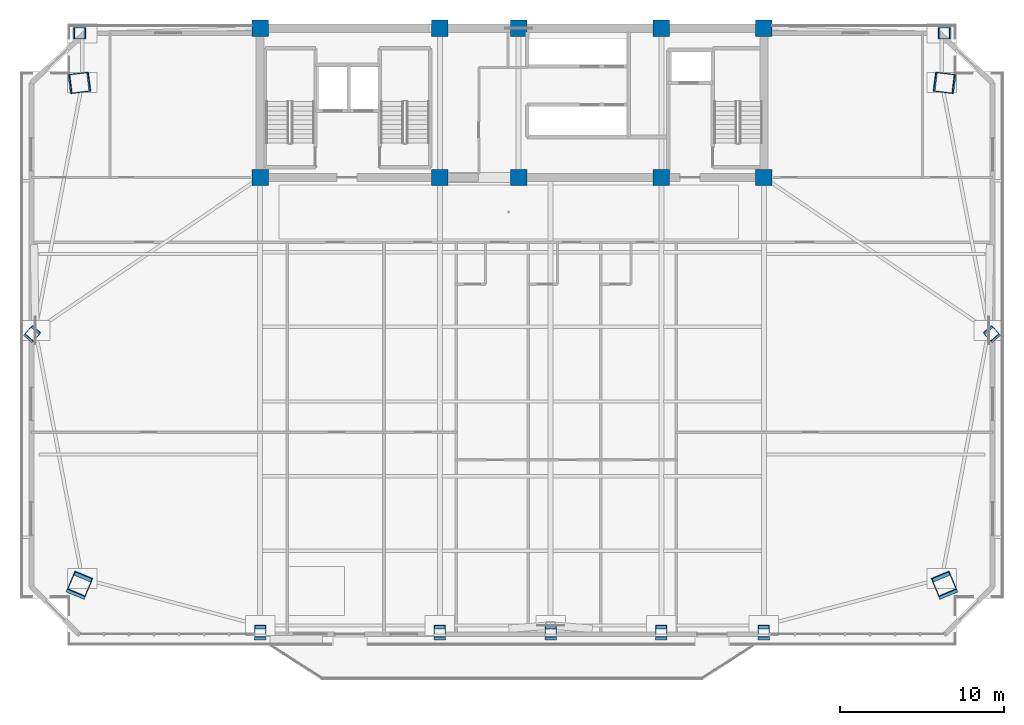
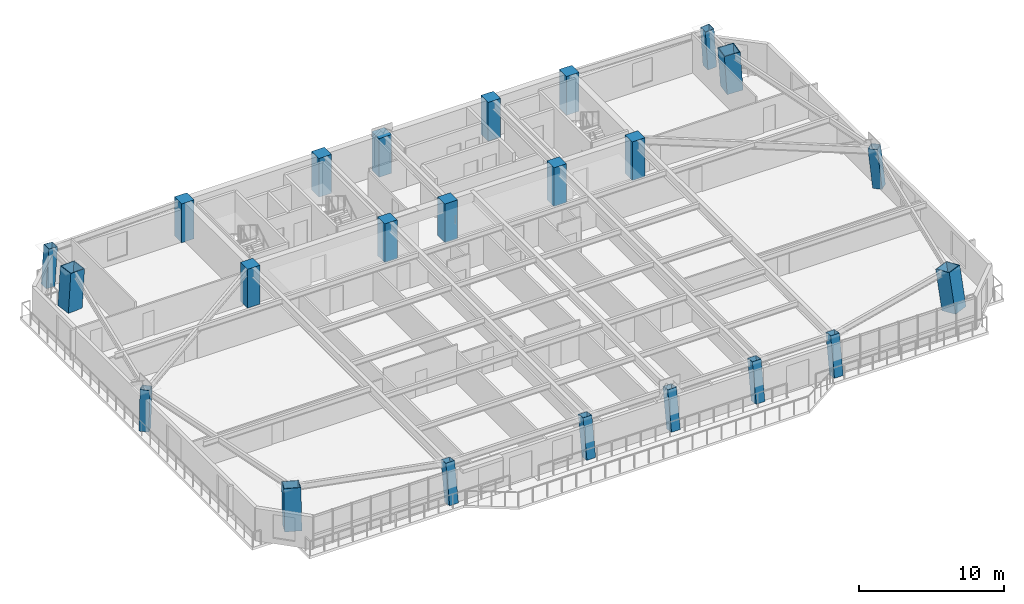
# One storey, part 1 of 15: 23 columns.
"""IFC4 building model written with IfcOpenShell, lengths in metres."""

from ifc_helpers import new_model, si_unit, direction, frame, origin, origin_2d, place, context, subcontext, project, spatial, rectangle, hollow_rectangle, extrude, source, transform, mapped, material, material_profile, profile_set, type_object, element, save


model = new_model("IFC4")

# Units and contexts
model_context = context("Model", 3, precision=1e-05, world=origin(), true_north=direction((0.0, 1.0)))
body_context = subcontext(model_context, "Body", "Model", "MODEL_VIEW")
ifc_project = project(units=[si_unit("LENGTHUNIT", "METRE"), si_unit("AREAUNIT", "SQUARE_METRE"), si_unit("VOLUMEUNIT", "CUBIC_METRE"), si_unit("PLANEANGLEUNIT", "RADIAN"), si_unit("MASSUNIT", "GRAM", prefix="KILO")], contexts=[model_context])

# Site, building, storey
site_placement = place(None, origin())
site = spatial("IfcSite", under=ifc_project, at=site_placement, CompositionType="ELEMENT")
building_placement = place(site_placement, origin())
building = spatial("IfcBuilding", under=site, at=building_placement, Name="Giltprow Tower", CompositionType="ELEMENT")
storey_placement = place(building_placement, frame((0.0, 0.0, 177.199951171875)))
storey = spatial("IfcBuildingStorey", under=building, at=storey_placement, Name="L44", CompositionType="ELEMENT", Elevation=177.199951171875)

# Columns
ifc_material_1 = material(Name="Concrete C50", Category="concrete")
ifc_material_profile_1 = material_profile(ifc_material_1, rectangle(XDim=1.0, YDim=1.0, at=origin_2d()), Name="RC 1000x1000")
ifc_profile_set_1 = profile_set([ifc_material_profile_1], Name="Concrete C50")
column_type_1 = type_object("IfcColumnType", Name="PIL-RC-1000-C50", PredefinedType="PILASTER", material=ifc_profile_set_1)
shared_shape_1 = source(origin(), body_context, "Body", "SweptSolid", [
    extrude(rectangle(XDim=1.0, YDim=1.0, at=origin_2d()), origin(), (0.0, 0.0, 1.0), 3.27001953125),
])
for number, where, z_axis, x_axis, name in (
    (1, (19.85009765625, 37.449951171875, 0.0), (0.0, 0.0, 1.0), (1.0, 0.0, 0.0), "L44 Core Boundary Pilaster 1-1"),
    (2, (19.85009765625, 46.550048828125, 0.0), (0.0, 0.0, 1.0), (1.0, 0.0, 0.0), "L44 Core Boundary Pilaster 1-2"),
    (3, (30.800048828125, 37.449951171875, 0.0), (0.0, 0.0, 1.0), (1.0, 0.0, 0.0), "L44 Core Boundary Pilaster 2-1"),
    (4, (30.800048828125, 46.550048828125, 0.0), (0.0, 0.0, 1.0), (1.0, 0.0, 0.0), "L44 Core Boundary Pilaster 2-2"),
    (5, (35.60009765625, 37.449951171875, 0.0), (0.0, 0.0, 1.0), (1.0, 0.0, 0.0), "L44 Core Boundary Pilaster 3-1"),
    (6, (35.60009765625, 46.550048828125, 0.0), (0.0, 0.0, 1.0), (1.0, 0.0, 0.0), "L44 Core Boundary Pilaster 3-2"),
    (7, (44.300048828125, 37.449951171875, 0.0), (0.0, 0.0, 1.0), (1.0, 0.0, 0.0), "L44 Core Boundary Pilaster 4-1"),
    (8, (44.300048828125, 46.550048828125, 0.0), (0.0, 0.0, 1.0), (1.0, 0.0, 0.0), "L44 Core Boundary Pilaster 4-2"),
    (9, (50.550048828125, 37.449951171875, 0.0), (0.0, 0.0, 1.0), (1.0, 0.0, 0.0), "L44 Core Boundary Pilaster 5-1"),
    (10, (50.550048828125, 46.550048828125, 0.0), (0.0, 0.0, 1.0), (1.0, 0.0, 0.0), "L44 Core Boundary Pilaster 5-2"),
):
    element("IfcColumn", number, at=place(storey_placement, frame(where, z_axis=z_axis, x_axis=x_axis)), inside=storey, type_object=column_type_1, Name=name, PredefinedType="PILASTER", context=body_context, shape_type="MappedRepresentation", body=[
        mapped(shared_shape_1, transform((0.0, 0.0, 0.0), x_axis=(1.0, 0.0, 0.0), y_axis=(0.0, 1.0, 0.0), z_axis=(0.0, 0.0, 1.0), scale=1.0)),
    ])
ifc_material_2 = material(Name="Structural steel Q420GJC", Category="steel")
ifc_material_profile_2 = material_profile(ifc_material_2, hollow_rectangle(XDim=1.199951171875, YDim=1.199951171875, WallThickness=0.054931640625, at=origin_2d()), Name="BOX 1200x1200x55")
ifc_profile_set_2 = profile_set([ifc_material_profile_2], Name="Structural steel Q420GJC")
column_type_2 = type_object("IfcColumnType", Name="COL-BOX-1200x1200x55", PredefinedType="COLUMN", material=ifc_profile_set_2)
shared_shape_2 = source(origin(), body_context, "Body", "SweptSolid", [
    extrude(hollow_rectangle(XDim=1.199951171875, YDim=1.199951171875, WallThickness=0.054931640625, at=origin_2d()), origin(), (0.0, 0.0, 1.0), 3.31494140625),
])
for number, where, z_axis, x_axis, name in (
    (11, (8.805908203125, 12.512939453125, 0.0), (0.063043666882, 0.151422639146, 0.986456628758), (-0.923183164535, 0.384360305857, 0.0), "L44 Mega-Column MC_SW"),
    (12, (61.593994140625, 12.512939453125, 0.0), (-0.062750233021, 0.151425444943, 0.986474907375), (-0.92381964374, -0.382827984663, 0.0), "L44 Mega-Column MC_SE"),
):
    element("IfcColumn", number, at=place(storey_placement, frame(where, z_axis=z_axis, x_axis=x_axis)), inside=storey, type_object=column_type_2, Name=name, PredefinedType="COLUMN", context=body_context, shape_type="MappedRepresentation", body=[
        mapped(shared_shape_2, transform((0.0, 0.0, 0.0), x_axis=(1.0, 0.0, 0.0), y_axis=(0.0, 1.0, 0.0), z_axis=(0.0, 0.0, 1.0), scale=1.0)),
    ])
shared_shape_3 = source(origin(), body_context, "Body", "SweptSolid", [
    extrude(hollow_rectangle(XDim=1.199951171875, YDim=1.199951171875, WallThickness=0.054931640625, at=origin_2d()), origin(), (0.0, 0.0, 1.0), 3.27685546875),
])
column_1_placement = place(storey_placement, frame((8.805908203125, 43.212890625, 0.0), z_axis=(0.063777069764, 0.007972133721, 0.997932327594), x_axis=(-0.124034734589, 0.992277876714, 0.0)))
element("IfcColumn", 13, at=column_1_placement, inside=storey, type_object=column_type_2, Name="L44 Mega-Column MC_NW", PredefinedType="COLUMN", context=body_context, shape_type="MappedRepresentation", body=[
    mapped(shared_shape_3, transform((0.0, 0.0, 0.0), x_axis=(1.0, 0.0, 0.0), y_axis=(0.0, 1.0, 0.0), z_axis=(0.0, 0.0, 1.0), scale=1.0)),
])
shared_shape_4 = source(origin(), body_context, "Body", "SweptSolid", [
    extrude(hollow_rectangle(XDim=1.199951171875, YDim=1.199951171875, WallThickness=0.054931640625, at=origin_2d()), origin(), (0.0, 0.0, 1.0), 3.276611328125),
])
column_2_placement = place(storey_placement, frame((61.593994140625, 43.212890625, 0.0), z_axis=(-0.06348024984, 0.007972284898, 0.997951251592), x_axis=(-0.124608036267, -0.992206045788, 0.0)))
element("IfcColumn", 14, at=column_2_placement, inside=storey, type_object=column_type_2, Name="L44 Mega-Column MC_NE", PredefinedType="COLUMN", context=body_context, shape_type="MappedRepresentation", body=[
    mapped(shared_shape_4, transform((0.0, 0.0, 0.0), x_axis=(1.0, 0.0, 0.0), y_axis=(0.0, 1.0, 0.0), z_axis=(0.0, 0.0, 1.0), scale=1.0)),
])
ifc_material_profile_3 = material_profile(ifc_material_2, hollow_rectangle(XDim=0.699951171875, YDim=0.699951171875, WallThickness=0.031982421875, at=origin_2d()), Name="BOX 700x700x32")
ifc_profile_set_3 = profile_set([ifc_material_profile_3], Name="Structural steel Q420GJC")
column_type_3 = type_object("IfcColumnType", Name="COL-BOX-700x700x32", PredefinedType="COLUMN", material=ifc_profile_set_3)
shared_shape_5 = source(origin(), body_context, "Body", "SweptSolid", [
    extrude(hollow_rectangle(XDim=0.699951171875, YDim=0.699951171875, WallThickness=0.031982421875, at=origin_2d()), origin(), (0.0, 0.0, 1.0), 3.3125),
])
for number, where, z_axis, x_axis, name in (
    (15, (19.85009765625, 9.6259765625, 0.0), (0.0, 0.159424772502, 0.987210079929), (-1.0, 0.0, 0.0), "L44 Perimeter Column S1"),
    (16, (30.800048828125, 9.6259765625, 0.0), (0.0, 0.159424772502, 0.987210079929), (-1.0, 0.0, 0.0), "L44 Perimeter Column S2"),
    (17, (37.550048828125, 9.6259765625, 0.0), (0.0, 0.159424772502, 0.987210079929), (-1.0, 0.0, 0.0), "L44 Perimeter Column S_MID"),
    (18, (44.300048828125, 9.6259765625, 0.0), (0.0, 0.159424772502, 0.987210079929), (-1.0, 0.0, 0.0), "L44 Perimeter Column S3"),
    (19, (50.550048828125, 9.6259765625, 0.0), (0.0, 0.159424772502, 0.987210079929), (-1.0, 0.0, 0.0), "L44 Perimeter Column S4"),
):
    element("IfcColumn", number, at=place(storey_placement, frame(where, z_axis=z_axis, x_axis=x_axis)), inside=storey, type_object=column_type_3, Name=name, PredefinedType="COLUMN", context=body_context, shape_type="MappedRepresentation", body=[
        mapped(shared_shape_5, transform((0.0, 0.0, 0.0), x_axis=(1.0, 0.0, 0.0), y_axis=(0.0, 1.0, 0.0), z_axis=(0.0, 0.0, 1.0), scale=1.0)),
    ])
shared_shape_6 = source(origin(), body_context, "Body", "SweptSolid", [
    extrude(hollow_rectangle(XDim=0.699951171875, YDim=0.699951171875, WallThickness=0.031982421875, at=origin_2d()), origin(), (0.0, 0.0, 1.0), 3.2890625),
])
for number, where, z_axis, x_axis, name in (
    (20, (5.9189453125, 27.863037109375, 0.0), (0.071481516224, 0.08024041437, 0.9942091675), (-0.746684793699, 0.66517803546, 0.0), "L44 Perimeter Column W_MID"),
    (21, (64.48095703125, 27.863037109375, 0.0), (-0.071112258181, 0.080242537676, 0.994235476074), (-0.748401609608, -0.663245829792, 0.0), "L44 Perimeter Column E_MID"),
):
    element("IfcColumn", number, at=place(storey_placement, frame(where, z_axis=z_axis, x_axis=x_axis)), inside=storey, type_object=column_type_3, Name=name, PredefinedType="COLUMN", context=body_context, shape_type="MappedRepresentation", body=[
        mapped(shared_shape_6, transform((0.0, 0.0, 0.0), x_axis=(1.0, 0.0, 0.0), y_axis=(0.0, 1.0, 0.0), z_axis=(0.0, 0.0, 1.0), scale=1.0)),
    ])
shared_shape_7 = source(origin(), body_context, "Body", "SweptSolid", [
    extrude(hollow_rectangle(XDim=0.699951171875, YDim=0.699951171875, WallThickness=0.031982421875, at=origin_2d()), origin(), (0.0, 0.0, 1.0), 3.276611328125),
])
for number, where, z_axis, x_axis, name in (
    (22, (8.805908203125, 46.25, 0.0), (0.063779096534, 0.0, 0.997964040858), (0.0, 1.0, 0.0), "L44 Perimeter Column N_W"),
    (23, (61.593994140625, 46.25, 0.0), (-0.063482267254, 0.0, 0.99798296666), (0.0, -1.0, 0.0), "L44 Perimeter Column N_E"),
):
    element("IfcColumn", number, at=place(storey_placement, frame(where, z_axis=z_axis, x_axis=x_axis)), inside=storey, type_object=column_type_3, Name=name, PredefinedType="COLUMN", context=body_context, shape_type="MappedRepresentation", body=[
        mapped(shared_shape_7, transform((0.0, 0.0, 0.0), x_axis=(1.0, 0.0, 0.0), y_axis=(0.0, 1.0, 0.0), z_axis=(0.0, 0.0, 1.0), scale=1.0)),
    ])

save(model, "model.ifc")
